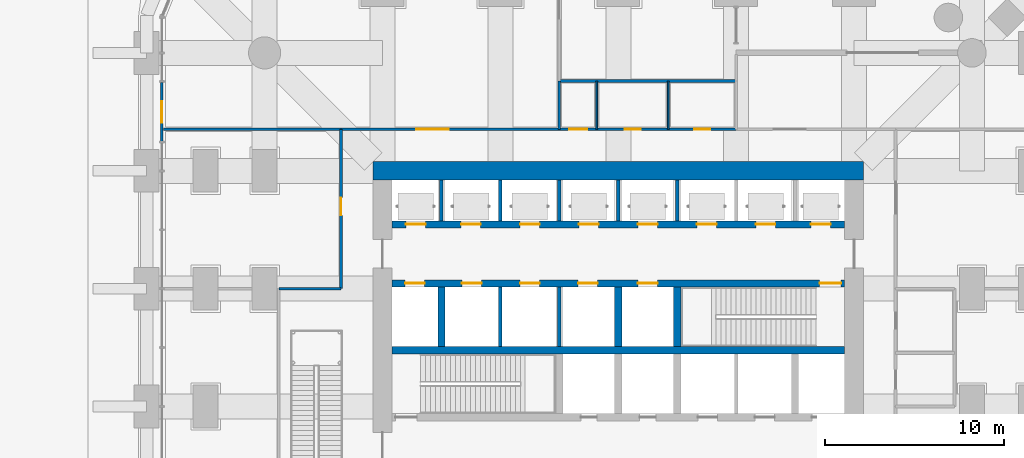
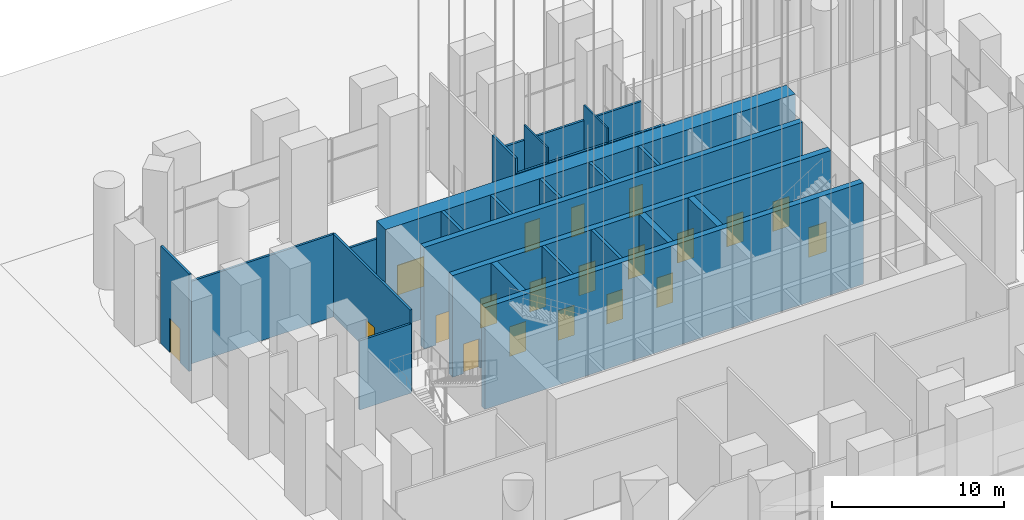
# One storey, part 16 of 32: 24 walls, 20 doors, 20 openings.
"""IFC4 building model written with IfcOpenShell, lengths in metres."""

from ifc_helpers import new_model, si_unit, direction, frame, frame_2d, origin, place, context, subcontext, project, spatial, rectangle, extrude, material, layer, layer_set, type_object, element, fill, save


model = new_model("IFC4")

# Units and contexts
model_context = context("Model", 3, precision=1e-05, world=origin(), true_north=direction((0.0, 1.0)))
body_context = subcontext(model_context, "Body", "Model", "MODEL_VIEW")
ifc_project = project(units=[si_unit("LENGTHUNIT", "METRE"), si_unit("AREAUNIT", "SQUARE_METRE"), si_unit("VOLUMEUNIT", "CUBIC_METRE"), si_unit("PLANEANGLEUNIT", "RADIAN"), si_unit("MASSUNIT", "GRAM", prefix="KILO")], contexts=[model_context])

# Site, building, storey
site_placement = place(None, origin())
site = spatial("IfcSite", under=ifc_project, at=site_placement, CompositionType="ELEMENT")
building_placement = place(site_placement, origin())
building = spatial("IfcBuilding", under=site, at=building_placement, Name="Cobogo Forest Laboratory Tower", CompositionType="ELEMENT")
storey_placement = place(building_placement, origin())
storey = spatial("IfcBuildingStorey", under=building, at=storey_placement, Name="L00", CompositionType="ELEMENT", Elevation=0.0)

# Wall
ifc_material_1 = material(Name="Concrete HA-50 (C50/60)", Category="concrete")
ifc_layer_1 = layer(ifc_material_1, 0.39990234375)
ifc_layer_set_1 = layer_set([ifc_layer_1], Name="CI400 core inner wall 400")
wall_type_1 = type_object("IfcWallType", Name="CI400 core inner wall 400", PredefinedType="SHEAR", material=ifc_layer_set_1)
wall_1_placement = place(storey_placement, frame((13.72509765625, 22.949951171875, 0.0), z_axis=(0.0, 0.0, 1.0), x_axis=(1.0, 0.0, 0.0)))
element("IfcWall", 1, at=wall_1_placement, inside=storey, type_object=wall_type_1, Name="Core wall CI-22.95 L00", PredefinedType="SHEAR", context=body_context, shape_type="SweptSolid", body=[
    extrude(rectangle(XDim=25.349853515625, YDim=0.39990234375, at=frame_2d((12.6748046875, 0.0))), origin(), (0.0, 0.0, 1.0), 7.199951171875),
])

# Wall, openings, doors
wall_2_placement = place(storey_placement, frame((13.72509765625, 26.699951171875, 0.0), z_axis=(0.0, 0.0, 1.0), x_axis=(1.0, 0.0, 0.0)))
wall_2 = element("IfcWall", 2, at=wall_2_placement, inside=storey, type_object=wall_type_1, Name="Core wall CI-26.7 L00", PredefinedType="SHEAR", context=body_context, shape_type="SweptSolid", body=[
    extrude(rectangle(XDim=25.349853515625, YDim=0.39990234375, at=frame_2d((12.6748046875, 0.0))), origin(), (0.0, 0.0, 1.0), 7.199951171875),
])
opening_1_placement = place(wall_2_placement, frame((23.949951171875, 0.0, 0.0)))
opening_1 = element("IfcOpeningElement", 3, at=opening_1_placement, cuts=wall_2, Name="Opening L00-D19", PredefinedType="OPENING", context=body_context, shape_type="SweptSolid", body=[
    extrude(rectangle(XDim=1.199951171875, YDim=2.10009765625, at=frame_2d((0.60009765625, 1.050048828125))), frame((0.0, 0.2099609375, 0.0), z_axis=(0.0, -1.0, 0.0), x_axis=(1.0, 0.0, 0.0)), (0.0, 0.0, 1.0), 0.419921875),
])
opening_2_placement = place(wall_2_placement, frame((0.737548828125, 0.0, 0.0)))
opening_2 = element("IfcOpeningElement", 4, at=opening_2_placement, cuts=wall_2, Name="Opening L00-LD-FL1", PredefinedType="OPENING", context=body_context, shape_type="SweptSolid", body=[
    extrude(rectangle(XDim=1.10009765625, YDim=2.10009765625, at=frame_2d((0.550048828125, 1.050048828125))), frame((0.0, 0.2099609375, 0.0), z_axis=(0.0, -1.0, 0.0), x_axis=(1.0, 0.0, 0.0)), (0.0, 0.0, 1.0), 0.419921875),
])
opening_3_placement = place(wall_2_placement, frame((3.925048828125, 0.0, 0.0)))
opening_3 = element("IfcOpeningElement", 5, at=opening_3_placement, cuts=wall_2, Name="Opening L00-LD-LS3", PredefinedType="OPENING", context=body_context, shape_type="SweptSolid", body=[
    extrude(rectangle(XDim=1.10009765625, YDim=2.10009765625, at=frame_2d((0.550048828125, 1.050048828125))), frame((0.0, 0.2099609375, 0.0), z_axis=(0.0, -1.0, 0.0), x_axis=(1.0, 0.0, 0.0)), (0.0, 0.0, 1.0), 0.419921875),
])
opening_4_placement = place(wall_2_placement, frame((7.175048828125, 0.0, 0.0)))
opening_4 = element("IfcOpeningElement", 6, at=opening_4_placement, cuts=wall_2, Name="Opening L00-LD-LS4", PredefinedType="OPENING", context=body_context, shape_type="SweptSolid", body=[
    extrude(rectangle(XDim=1.10009765625, YDim=2.10009765625, at=frame_2d((0.550048828125, 1.050048828125))), frame((0.0, 0.2099609375, 0.0), z_axis=(0.0, -1.0, 0.0), x_axis=(1.0, 0.0, 0.0)), (0.0, 0.0, 1.0), 0.419921875),
])
opening_5_placement = place(wall_2_placement, frame((10.425048828125, 0.0, 0.0)))
opening_5 = element("IfcOpeningElement", 7, at=opening_5_placement, cuts=wall_2, Name="Opening L00-LD-LS5", PredefinedType="OPENING", context=body_context, shape_type="SweptSolid", body=[
    extrude(rectangle(XDim=1.10009765625, YDim=2.10009765625, at=frame_2d((0.550048828125, 1.050048828125))), frame((0.0, 0.2099609375, 0.0), z_axis=(0.0, -1.0, 0.0), x_axis=(1.0, 0.0, 0.0)), (0.0, 0.0, 1.0), 0.419921875),
])
opening_6_placement = place(wall_2_placement, frame((13.77490234375, 0.0, 0.0)))
opening_6 = element("IfcOpeningElement", 8, at=opening_6_placement, cuts=wall_2, Name="Opening L00-LD-LS6", PredefinedType="OPENING", context=body_context, shape_type="SweptSolid", body=[
    extrude(rectangle(XDim=1.10009765625, YDim=2.10009765625, at=frame_2d((0.550048828125, 1.050048828125))), frame((0.0, 0.2099609375, 0.0), z_axis=(0.0, -1.0, 0.0), x_axis=(1.0, 0.0, 0.0)), (0.0, 0.0, 1.0), 0.419921875),
])
ifc_material_2 = material(Name="Steel fire door", Category="steel")
door_type_1 = type_object("IfcDoorType", Name="DS1 protected stair door 1200 EI2 60", OperationType="SINGLE_SWING_LEFT", PredefinedType="DOOR", material=ifc_material_2)
door_1_placement = place(opening_1_placement, origin())
door_1 = element("IfcDoor", 9, at=door_1_placement, inside=storey, type_object=door_type_1, Name="Door L00-ST2", OperationType="SINGLE_SWING_RIGHT", OverallHeight=2.10009765625, OverallWidth=1.199951171875, PredefinedType="DOOR", context=body_context, shape_type="SweptSolid", body=[
    extrude(rectangle(XDim=1.199951171875, YDim=2.10009765625, at=frame_2d((0.60009765625, 1.050048828125))), frame((0.0, 0.02490234375, 0.0), z_axis=(0.0, -1.0, 0.0), x_axis=(1.0, 0.0, 0.0)), (0.0, 0.0, 1.0), 0.050048828125),
])
fill(opening_1, door_1)
ifc_material_3 = material(Name="Stainless steel lift door", Category="steel")
door_type_2 = type_object("IfcDoorType", Name="LD lift landing door 1100", OperationType="DOUBLE_DOOR_SLIDING", PredefinedType="DOOR", material=ifc_material_3)
door_2_placement = place(opening_2_placement, origin())
door_2 = element("IfcDoor", 10, at=door_2_placement, inside=storey, type_object=door_type_2, Name="Lift landing door FL1 L00", OperationType="DOUBLE_DOOR_SLIDING", OverallHeight=2.10009765625, OverallWidth=1.10009765625, PredefinedType="DOOR", context=body_context, shape_type="SweptSolid", body=[
    extrude(rectangle(XDim=1.10009765625, YDim=2.10009765625, at=frame_2d((0.550048828125, 1.050048828125))), frame((0.0, 0.02490234375, 0.0), z_axis=(0.0, -1.0, 0.0), x_axis=(1.0, 0.0, 0.0)), (0.0, 0.0, 1.0), 0.050048828125),
])
fill(opening_2, door_2)
door_3_placement = place(opening_3_placement, origin())
door_3 = element("IfcDoor", 11, at=door_3_placement, inside=storey, type_object=door_type_2, Name="Lift landing door LS3 L00", OperationType="DOUBLE_DOOR_SLIDING", OverallHeight=2.10009765625, OverallWidth=1.10009765625, PredefinedType="DOOR", context=body_context, shape_type="SweptSolid", body=[
    extrude(rectangle(XDim=1.10009765625, YDim=2.10009765625, at=frame_2d((0.550048828125, 1.050048828125))), frame((0.0, 0.02490234375, 0.0), z_axis=(0.0, -1.0, 0.0), x_axis=(1.0, 0.0, 0.0)), (0.0, 0.0, 1.0), 0.050048828125),
])
fill(opening_3, door_3)
door_4_placement = place(opening_4_placement, origin())
door_4 = element("IfcDoor", 12, at=door_4_placement, inside=storey, type_object=door_type_2, Name="Lift landing door LS4 L00", OperationType="DOUBLE_DOOR_SLIDING", OverallHeight=2.10009765625, OverallWidth=1.10009765625, PredefinedType="DOOR", context=body_context, shape_type="SweptSolid", body=[
    extrude(rectangle(XDim=1.10009765625, YDim=2.10009765625, at=frame_2d((0.550048828125, 1.050048828125))), frame((0.0, 0.02490234375, 0.0), z_axis=(0.0, -1.0, 0.0), x_axis=(1.0, 0.0, 0.0)), (0.0, 0.0, 1.0), 0.050048828125),
])
fill(opening_4, door_4)
door_5_placement = place(opening_5_placement, origin())
door_5 = element("IfcDoor", 13, at=door_5_placement, inside=storey, type_object=door_type_2, Name="Lift landing door LS5 L00", OperationType="DOUBLE_DOOR_SLIDING", OverallHeight=2.10009765625, OverallWidth=1.10009765625, PredefinedType="DOOR", context=body_context, shape_type="SweptSolid", body=[
    extrude(rectangle(XDim=1.10009765625, YDim=2.10009765625, at=frame_2d((0.550048828125, 1.050048828125))), frame((0.0, 0.02490234375, 0.0), z_axis=(0.0, -1.0, 0.0), x_axis=(1.0, 0.0, 0.0)), (0.0, 0.0, 1.0), 0.050048828125),
])
fill(opening_5, door_5)
door_6_placement = place(opening_6_placement, origin())
door_6 = element("IfcDoor", 14, at=door_6_placement, inside=storey, type_object=door_type_2, Name="Lift landing door LS6 L00", OperationType="DOUBLE_DOOR_SLIDING", OverallHeight=2.10009765625, OverallWidth=1.10009765625, PredefinedType="DOOR", context=body_context, shape_type="SweptSolid", body=[
    extrude(rectangle(XDim=1.10009765625, YDim=2.10009765625, at=frame_2d((0.550048828125, 1.050048828125))), frame((0.0, 0.02490234375, 0.0), z_axis=(0.0, -1.0, 0.0), x_axis=(1.0, 0.0, 0.0)), (0.0, 0.0, 1.0), 0.050048828125),
])
fill(opening_6, door_6)

wall_3_placement = place(storey_placement, frame((13.72509765625, 30.0, 0.0), z_axis=(0.0, 0.0, 1.0), x_axis=(1.0, 0.0, 0.0)))
wall_3 = element("IfcWall", 15, at=wall_3_placement, inside=storey, type_object=wall_type_1, Name="Core wall CI-30.0 L00", PredefinedType="SHEAR", context=body_context, shape_type="SweptSolid", body=[
    extrude(rectangle(XDim=25.349853515625, YDim=0.39990234375, at=frame_2d((12.6748046875, 0.0))), origin(), (0.0, 0.0, 1.0), 7.199951171875),
])
opening_7_placement = place(wall_3_placement, frame((0.78759765625, 0.0, 0.0)))
opening_7 = element("IfcOpeningElement", 16, at=opening_7_placement, cuts=wall_3, Name="Opening L00-LD-LC1", PredefinedType="OPENING", context=body_context, shape_type="SweptSolid", body=[
    extrude(rectangle(XDim=1.10009765625, YDim=2.10009765625, at=frame_2d((0.550048828125, 1.050048828125))), frame((0.0, 0.2099609375, 0.0), z_axis=(0.0, -1.0, 0.0), x_axis=(1.0, 0.0, 0.0)), (0.0, 0.0, 1.0), 0.419921875),
])
opening_8_placement = place(wall_3_placement, frame((3.875, 0.0, 0.0)))
opening_8 = element("IfcOpeningElement", 17, at=opening_8_placement, cuts=wall_3, Name="Opening L00-LD-LC2", PredefinedType="OPENING", context=body_context, shape_type="SweptSolid", body=[
    extrude(rectangle(XDim=1.10009765625, YDim=2.10009765625, at=frame_2d((0.550048828125, 1.050048828125))), frame((0.0, 0.2099609375, 0.0), z_axis=(0.0, -1.0, 0.0), x_axis=(1.0, 0.0, 0.0)), (0.0, 0.0, 1.0), 0.419921875),
])
opening_9_placement = place(wall_3_placement, frame((7.175048828125, 0.0, 0.0)))
opening_9 = element("IfcOpeningElement", 18, at=opening_9_placement, cuts=wall_3, Name="Opening L00-LD-LC3", PredefinedType="OPENING", context=body_context, shape_type="SweptSolid", body=[
    extrude(rectangle(XDim=1.10009765625, YDim=2.10009765625, at=frame_2d((0.550048828125, 1.050048828125))), frame((0.0, 0.2099609375, 0.0), z_axis=(0.0, -1.0, 0.0), x_axis=(1.0, 0.0, 0.0)), (0.0, 0.0, 1.0), 0.419921875),
])
opening_10_placement = place(wall_3_placement, frame((10.47509765625, 0.0, 0.0)))
opening_10 = element("IfcOpeningElement", 19, at=opening_10_placement, cuts=wall_3, Name="Opening L00-LD-LC4", PredefinedType="OPENING", context=body_context, shape_type="SweptSolid", body=[
    extrude(rectangle(XDim=1.10009765625, YDim=2.10009765625, at=frame_2d((0.550048828125, 1.050048828125))), frame((0.0, 0.2099609375, 0.0), z_axis=(0.0, -1.0, 0.0), x_axis=(1.0, 0.0, 0.0)), (0.0, 0.0, 1.0), 0.419921875),
])
opening_11_placement = place(wall_3_placement, frame((13.77490234375, 0.0, 0.0)))
opening_11 = element("IfcOpeningElement", 20, at=opening_11_placement, cuts=wall_3, Name="Opening L00-LD-LD1", PredefinedType="OPENING", context=body_context, shape_type="SweptSolid", body=[
    extrude(rectangle(XDim=1.10009765625, YDim=2.10009765625, at=frame_2d((0.550048828125, 1.050048828125))), frame((0.0, 0.2099609375, 0.0), z_axis=(0.0, -1.0, 0.0), x_axis=(1.0, 0.0, 0.0)), (0.0, 0.0, 1.0), 0.419921875),
])
opening_12_placement = place(wall_3_placement, frame((17.074951171875, 0.0, 0.0)))
opening_12 = element("IfcOpeningElement", 21, at=opening_12_placement, cuts=wall_3, Name="Opening L00-LD-LD2", PredefinedType="OPENING", context=body_context, shape_type="SweptSolid", body=[
    extrude(rectangle(XDim=1.10009765625, YDim=2.10009765625, at=frame_2d((0.550048828125, 1.050048828125))), frame((0.0, 0.2099609375, 0.0), z_axis=(0.0, -1.0, 0.0), x_axis=(1.0, 0.0, 0.0)), (0.0, 0.0, 1.0), 0.419921875),
])
opening_13_placement = place(wall_3_placement, frame((20.375, 0.0, 0.0)))
opening_13 = element("IfcOpeningElement", 22, at=opening_13_placement, cuts=wall_3, Name="Opening L00-LD-LD3", PredefinedType="OPENING", context=body_context, shape_type="SweptSolid", body=[
    extrude(rectangle(XDim=1.10009765625, YDim=2.10009765625, at=frame_2d((0.550048828125, 1.050048828125))), frame((0.0, 0.2099609375, 0.0), z_axis=(0.0, -1.0, 0.0), x_axis=(1.0, 0.0, 0.0)), (0.0, 0.0, 1.0), 0.419921875),
])
opening_14_placement = place(wall_3_placement, frame((23.46240234375, 0.0, 0.0)))
opening_14 = element("IfcOpeningElement", 23, at=opening_14_placement, cuts=wall_3, Name="Opening L00-LD-LD4", PredefinedType="OPENING", context=body_context, shape_type="SweptSolid", body=[
    extrude(rectangle(XDim=1.10009765625, YDim=2.10009765625, at=frame_2d((0.550048828125, 1.050048828125))), frame((0.0, 0.2099609375, 0.0), z_axis=(0.0, -1.0, 0.0), x_axis=(1.0, 0.0, 0.0)), (0.0, 0.0, 1.0), 0.419921875),
])
door_7_placement = place(opening_7_placement, origin())
door_7 = element("IfcDoor", 24, at=door_7_placement, inside=storey, type_object=door_type_2, Name="Lift landing door LC1 L00", OperationType="DOUBLE_DOOR_SLIDING", OverallHeight=2.10009765625, OverallWidth=1.10009765625, PredefinedType="DOOR", context=body_context, shape_type="SweptSolid", body=[
    extrude(rectangle(XDim=1.10009765625, YDim=2.10009765625, at=frame_2d((0.550048828125, 1.050048828125))), frame((0.0, 0.02490234375, 0.0), z_axis=(0.0, -1.0, 0.0), x_axis=(1.0, 0.0, 0.0)), (0.0, 0.0, 1.0), 0.050048828125),
])
fill(opening_7, door_7)
door_8_placement = place(opening_8_placement, origin())
door_8 = element("IfcDoor", 25, at=door_8_placement, inside=storey, type_object=door_type_2, Name="Lift landing door LC2 L00", OperationType="DOUBLE_DOOR_SLIDING", OverallHeight=2.10009765625, OverallWidth=1.10009765625, PredefinedType="DOOR", context=body_context, shape_type="SweptSolid", body=[
    extrude(rectangle(XDim=1.10009765625, YDim=2.10009765625, at=frame_2d((0.550048828125, 1.050048828125))), frame((0.0, 0.02490234375, 0.0), z_axis=(0.0, -1.0, 0.0), x_axis=(1.0, 0.0, 0.0)), (0.0, 0.0, 1.0), 0.050048828125),
])
fill(opening_8, door_8)
door_9_placement = place(opening_9_placement, origin())
door_9 = element("IfcDoor", 26, at=door_9_placement, inside=storey, type_object=door_type_2, Name="Lift landing door LC3 L00", OperationType="DOUBLE_DOOR_SLIDING", OverallHeight=2.10009765625, OverallWidth=1.10009765625, PredefinedType="DOOR", context=body_context, shape_type="SweptSolid", body=[
    extrude(rectangle(XDim=1.10009765625, YDim=2.10009765625, at=frame_2d((0.550048828125, 1.050048828125))), frame((0.0, 0.02490234375, 0.0), z_axis=(0.0, -1.0, 0.0), x_axis=(1.0, 0.0, 0.0)), (0.0, 0.0, 1.0), 0.050048828125),
])
fill(opening_9, door_9)
door_10_placement = place(opening_10_placement, origin())
door_10 = element("IfcDoor", 27, at=door_10_placement, inside=storey, type_object=door_type_2, Name="Lift landing door LC4 L00", OperationType="DOUBLE_DOOR_SLIDING", OverallHeight=2.10009765625, OverallWidth=1.10009765625, PredefinedType="DOOR", context=body_context, shape_type="SweptSolid", body=[
    extrude(rectangle(XDim=1.10009765625, YDim=2.10009765625, at=frame_2d((0.550048828125, 1.050048828125))), frame((0.0, 0.02490234375, 0.0), z_axis=(0.0, -1.0, 0.0), x_axis=(1.0, 0.0, 0.0)), (0.0, 0.0, 1.0), 0.050048828125),
])
fill(opening_10, door_10)
door_11_placement = place(opening_11_placement, origin())
door_11 = element("IfcDoor", 28, at=door_11_placement, inside=storey, type_object=door_type_2, Name="Lift landing door LD1 L00", OperationType="DOUBLE_DOOR_SLIDING", OverallHeight=2.10009765625, OverallWidth=1.10009765625, PredefinedType="DOOR", context=body_context, shape_type="SweptSolid", body=[
    extrude(rectangle(XDim=1.10009765625, YDim=2.10009765625, at=frame_2d((0.550048828125, 1.050048828125))), frame((0.0, 0.02490234375, 0.0), z_axis=(0.0, -1.0, 0.0), x_axis=(1.0, 0.0, 0.0)), (0.0, 0.0, 1.0), 0.050048828125),
])
fill(opening_11, door_11)
door_12_placement = place(opening_12_placement, origin())
door_12 = element("IfcDoor", 29, at=door_12_placement, inside=storey, type_object=door_type_2, Name="Lift landing door LD2 L00", OperationType="DOUBLE_DOOR_SLIDING", OverallHeight=2.10009765625, OverallWidth=1.10009765625, PredefinedType="DOOR", context=body_context, shape_type="SweptSolid", body=[
    extrude(rectangle(XDim=1.10009765625, YDim=2.10009765625, at=frame_2d((0.550048828125, 1.050048828125))), frame((0.0, 0.02490234375, 0.0), z_axis=(0.0, -1.0, 0.0), x_axis=(1.0, 0.0, 0.0)), (0.0, 0.0, 1.0), 0.050048828125),
])
fill(opening_12, door_12)
door_13_placement = place(opening_13_placement, origin())
door_13 = element("IfcDoor", 30, at=door_13_placement, inside=storey, type_object=door_type_2, Name="Lift landing door LD3 L00", OperationType="DOUBLE_DOOR_SLIDING", OverallHeight=2.10009765625, OverallWidth=1.10009765625, PredefinedType="DOOR", context=body_context, shape_type="SweptSolid", body=[
    extrude(rectangle(XDim=1.10009765625, YDim=2.10009765625, at=frame_2d((0.550048828125, 1.050048828125))), frame((0.0, 0.02490234375, 0.0), z_axis=(0.0, -1.0, 0.0), x_axis=(1.0, 0.0, 0.0)), (0.0, 0.0, 1.0), 0.050048828125),
])
fill(opening_13, door_13)
door_14_placement = place(opening_14_placement, origin())
door_14 = element("IfcDoor", 31, at=door_14_placement, inside=storey, type_object=door_type_2, Name="Lift landing door LD4 L00", OperationType="DOUBLE_DOOR_SLIDING", OverallHeight=2.10009765625, OverallWidth=1.10009765625, PredefinedType="DOOR", context=body_context, shape_type="SweptSolid", body=[
    extrude(rectangle(XDim=1.10009765625, YDim=2.10009765625, at=frame_2d((0.550048828125, 1.050048828125))), frame((0.0, 0.02490234375, 0.0), z_axis=(0.0, -1.0, 0.0), x_axis=(1.0, 0.0, 0.0)), (0.0, 0.0, 1.0), 0.050048828125),
])
fill(opening_14, door_14)

# Walls
for number, where, z_axis, x_axis, name in (
    (32, (16.5, 23.14990234375, 0.0), (0.0, 0.0, 1.0), (0.0, 1.0, 0.0), "Core wall CX-16.5 L00"),
    (33, (26.39990234375, 23.14990234375, 0.0), (0.0, 0.0, 1.0), (0.0, 1.0, 0.0), "Core wall CX-26.4N L00"),
    (34, (29.699951171875, 23.14990234375, 0.0), (0.0, 0.0, 1.0), (0.0, 1.0, 0.0), "Core wall CX-29.7N L00"),
):
    element("IfcWall", number, at=place(storey_placement, frame(where, z_axis=z_axis, x_axis=x_axis)), inside=storey, type_object=wall_type_1, Name=name, PredefinedType="SHEAR", context=body_context, shape_type="SweptSolid", body=[
        extrude(rectangle(XDim=3.35009765625, YDim=0.39990234375, at=frame_2d((1.675048828125, 0.0))), origin(), (0.0, 0.0, 1.0), 7.199951171875),
    ])
ifc_layer_2 = layer(ifc_material_1, 1.050048828125)
ifc_layer_set_2 = layer_set([ifc_layer_2], Name="CW1050 core outer wall 1050")
wall_type_2 = type_object("IfcWallType", Name="CW1050 core outer wall 1050", PredefinedType="SHEAR", material=ifc_layer_set_2)
wall_4_placement = place(storey_placement, frame((40.125, 33.0, 0.0), z_axis=(0.0, 0.0, 1.0), x_axis=(-1.0, 0.0, 0.0)))
element("IfcWall", 35, at=wall_4_placement, inside=storey, type_object=wall_type_2, Name="Core wall CO-N L00", PredefinedType="SHEAR", context=body_context, shape_type="SweptSolid", body=[
    extrude(rectangle(XDim=27.449951171875, YDim=1.050048828125, at=frame_2d((13.72509765625, 0.0))), origin(), (0.0, 0.0, 1.0), 7.199951171875),
])

# Wall, opening, door
ifc_material_4 = material(Name="Aluminium framed glazed screen", Category="aluminium")
ifc_layer_3 = layer(ifc_material_4, 0.14990234375)
ifc_layer_set_3 = layer_set([ifc_layer_3], Name="GS1 glazed door screen 150")
wall_type_3 = type_object("IfcWallType", Name="GS1 glazed door screen 150", PredefinedType="SOLIDWALL", material=ifc_layer_set_3)
wall_5_placement = place(storey_placement, frame((0.85009765625, 34.64990234375, 0.0), z_axis=(0.0, 0.0, 1.0), x_axis=(0.0, 1.0, 0.0)))
wall_5 = element("IfcWall", 36, at=wall_5_placement, inside=storey, type_object=wall_type_3, Name="Entrance glazed screen EXW", PredefinedType="SOLIDWALL", context=body_context, shape_type="SweptSolid", body=[
    extrude(rectangle(XDim=3.300048828125, YDim=0.14990234375, at=frame_2d((1.64990234375, 0.0))), origin(), (0.0, 0.0, 1.0), 6.89990234375),
])
opening_15_placement = place(wall_5_placement, frame((1.050048828125, 0.0, 0.0)))
opening_15 = element("IfcOpeningElement", 37, at=opening_15_placement, cuts=wall_5, Name="Opening L00-D30", PredefinedType="OPENING", context=body_context, shape_type="SweptSolid", body=[
    extrude(rectangle(XDim=1.199951171875, YDim=2.39990234375, at=frame_2d((0.60009765625, 1.199951171875))), frame((0.0, 0.0849609375, 0.0), z_axis=(0.0, -1.0, 0.0), x_axis=(1.0, 0.0, 0.0)), (0.0, 0.0, 1.0), 0.169921875),
])
ifc_material_5 = material(Name="Aluminium glazed door", Category="aluminium")
door_type_3 = type_object("IfcDoorType", Name="ED2 exit door 1200 glazed", OperationType="SINGLE_SWING_LEFT", PredefinedType="DOOR", material=ifc_material_5)
door_15_placement = place(opening_15_placement, origin())
door_15 = element("IfcDoor", 38, at=door_15_placement, inside=storey, type_object=door_type_3, Name="Door L00-EXW-1", OperationType="SINGLE_SWING_RIGHT", OverallHeight=2.39990234375, OverallWidth=1.199951171875, PredefinedType="DOOR", context=body_context, shape_type="SweptSolid", body=[
    extrude(rectangle(XDim=1.199951171875, YDim=2.39990234375, at=frame_2d((0.60009765625, 1.199951171875))), frame((0.0, 0.02490234375, 0.0), z_axis=(0.0, -1.0, 0.0), x_axis=(1.0, 0.0, 0.0)), (0.0, 0.0, 1.0), 0.050048828125),
])
fill(opening_15, door_15)

# Wall, openings, doors
ifc_material_6 = material(Name="Gypsum board on steel studs", Category="steel")
ifc_layer_4 = layer(ifc_material_6, 0.14990234375)
ifc_layer_set_4 = layer_set([ifc_layer_4], Name="PT1 laboratory partition 150")
wall_type_4 = type_object("IfcWallType", Name="PT1 laboratory partition 150", PredefinedType="PARTITIONING", material=ifc_layer_set_4)
wall_6_placement = place(storey_placement, frame((33.0, 35.324951171875, 0.0), z_axis=(0.0, 0.0, 1.0), x_axis=(-1.0, 0.0, 0.0)))
wall_6 = element("IfcWall", 39, at=wall_6_placement, inside=storey, type_object=wall_type_4, Name="Partition POD-WCA-S-1 L00", PredefinedType="PARTITIONING", context=body_context, shape_type="SweptSolid", body=[
    extrude(rectangle(XDim=9.89990234375, YDim=0.14990234375, at=frame_2d((4.949951171875, 0.0))), origin(), (0.0, 0.0, 1.0), 5.85009765625),
])
opening_16_placement = place(wall_6_placement, frame((8.35009765625, 0.0, 0.0)))
opening_16 = element("IfcOpeningElement", 40, at=opening_16_placement, cuts=wall_6, Name="Opening L00-D26", PredefinedType="OPENING", context=body_context, shape_type="SweptSolid", body=[
    extrude(rectangle(XDim=1.0, YDim=2.10009765625, at=frame_2d((0.5, 1.050048828125))), frame((0.0, 0.0849609375, 0.0), z_axis=(0.0, -1.0, 0.0), x_axis=(1.0, 0.0, 0.0)), (0.0, 0.0, 1.0), 0.169921875),
])
opening_17_placement = place(wall_6_placement, frame((5.35009765625, 0.0, 0.0)))
opening_17 = element("IfcOpeningElement", 41, at=opening_17_placement, cuts=wall_6, Name="Opening L00-D27", PredefinedType="OPENING", context=body_context, shape_type="SweptSolid", body=[
    extrude(rectangle(XDim=0.89990234375, YDim=2.10009765625, at=frame_2d((0.449951171875, 1.050048828125))), frame((0.0, 0.0849609375, 0.0), z_axis=(0.0, -1.0, 0.0), x_axis=(1.0, 0.0, 0.0)), (0.0, 0.0, 1.0), 0.169921875),
])
opening_18_placement = place(wall_6_placement, frame((1.449951171875, 0.0, 0.0)))
opening_18 = element("IfcOpeningElement", 42, at=opening_18_placement, cuts=wall_6, Name="Opening L00-D28", PredefinedType="OPENING", context=body_context, shape_type="SweptSolid", body=[
    extrude(rectangle(XDim=0.89990234375, YDim=2.10009765625, at=frame_2d((0.449951171875, 1.050048828125))), frame((0.0, 0.0849609375, 0.0), z_axis=(0.0, -1.0, 0.0), x_axis=(1.0, 0.0, 0.0)), (0.0, 0.0, 1.0), 0.169921875),
])
ifc_material_7 = material(Name="Timber fire door", Category="wood")
door_type_4 = type_object("IfcDoorType", Name="FD3 toilet fire door 900 EI2 30", OperationType="SINGLE_SWING_LEFT", PredefinedType="DOOR", material=ifc_material_7)
door_16_placement = place(opening_17_placement, origin())
door_16 = element("IfcDoor", 43, at=door_16_placement, inside=storey, type_object=door_type_4, Name="Door L00-WCF", OperationType="SINGLE_SWING_RIGHT", OverallHeight=2.10009765625, OverallWidth=0.89990234375, PredefinedType="DOOR", context=body_context, shape_type="SweptSolid", body=[
    extrude(rectangle(XDim=0.89990234375, YDim=2.10009765625, at=frame_2d((0.449951171875, 1.050048828125))), frame((0.0, 0.02490234375, 0.0), z_axis=(0.0, -1.0, 0.0), x_axis=(1.0, 0.0, 0.0)), (0.0, 0.0, 1.0), 0.050048828125),
])
fill(opening_17, door_16)
door_17_placement = place(opening_18_placement, origin())
door_17 = element("IfcDoor", 44, at=door_17_placement, inside=storey, type_object=door_type_4, Name="Door L00-WCM", OperationType="SINGLE_SWING_LEFT", OverallHeight=2.10009765625, OverallWidth=0.89990234375, PredefinedType="DOOR", context=body_context, shape_type="SweptSolid", body=[
    extrude(rectangle(XDim=0.89990234375, YDim=2.10009765625, at=frame_2d((0.449951171875, 1.050048828125))), frame((0.0, 0.02490234375, 0.0), z_axis=(0.0, -1.0, 0.0), x_axis=(1.0, 0.0, 0.0)), (0.0, 0.0, 1.0), 0.050048828125),
])
fill(opening_18, door_17)
door_type_5 = type_object("IfcDoorType", Name="FDA1 accessible toilet fire door 1000 EI2 30", OperationType="SINGLE_SWING_RIGHT", PredefinedType="DOOR", material=ifc_material_7)
door_18_placement = place(opening_16_placement, origin())
door_18 = element("IfcDoor", 45, at=door_18_placement, inside=storey, type_object=door_type_5, Name="Door L00-WCA", OperationType="SINGLE_SWING_RIGHT", OverallHeight=2.10009765625, OverallWidth=1.0, PredefinedType="DOOR", context=body_context, shape_type="SweptSolid", body=[
    extrude(rectangle(XDim=1.0, YDim=2.10009765625, at=frame_2d((0.5, 1.050048828125))), frame((0.0, 0.02490234375, 0.0), z_axis=(0.0, -1.0, 0.0), x_axis=(1.0, 0.0, 0.0)), (0.0, 0.0, 1.0), 0.050048828125),
])
fill(opening_16, door_18)

# Wall
wall_7_placement = place(storey_placement, frame((0.929931640625, 35.324951171875, 0.0), z_axis=(0.0, 0.0, 1.0), x_axis=(1.0, 0.0, 0.0)))
element("IfcWall", 46, at=wall_7_placement, inside=storey, type_object=wall_type_4, Name="Partition L00-P3-1 L00", PredefinedType="PARTITIONING", context=body_context, shape_type="SweptSolid", body=[
    extrude(rectangle(XDim=9.945068359375, YDim=0.14990234375, at=frame_2d((4.97265625, 0.0))), origin(), (0.0, 0.0, 1.0), 5.85009765625),
])

# Wall, opening, door
wall_8_placement = place(storey_placement, frame((10.875, 35.324951171875, 0.0), z_axis=(0.0, 0.0, 1.0), x_axis=(0.0, -1.0, 0.0)))
wall_8 = element("IfcWall", 47, at=wall_8_placement, inside=storey, type_object=wall_type_4, Name="Partition L00-P4-1 L00", PredefinedType="PARTITIONING", context=body_context, shape_type="SweptSolid", body=[
    extrude(rectangle(XDim=8.925048828125, YDim=0.14990234375, at=frame_2d((4.46240234375, 0.0))), origin(), (0.0, 0.0, 1.0), 5.85009765625),
])
opening_19_placement = place(wall_8_placement, frame((3.824951171875, 0.0, 0.0)))
opening_19 = element("IfcOpeningElement", 48, at=opening_19_placement, cuts=wall_8, Name="Opening L00-D23", PredefinedType="OPENING", context=body_context, shape_type="SweptSolid", body=[
    extrude(rectangle(XDim=1.0, YDim=2.10009765625, at=frame_2d((0.5, 1.050048828125))), frame((0.0, 0.0849609375, 0.0), z_axis=(0.0, -1.0, 0.0), x_axis=(1.0, 0.0, 0.0)), (0.0, 0.0, 1.0), 0.169921875),
])
door_type_6 = type_object("IfcDoorType", Name="FD2 fire door 1000 EI2 30", OperationType="SINGLE_SWING_LEFT", PredefinedType="DOOR", material=ifc_material_7)
door_19_placement = place(opening_19_placement, origin())
door_19 = element("IfcDoor", 49, at=door_19_placement, inside=storey, type_object=door_type_6, Name="Door L00-MGT", OperationType="SINGLE_SWING_LEFT", OverallHeight=2.10009765625, OverallWidth=1.0, PredefinedType="DOOR", context=body_context, shape_type="SweptSolid", body=[
    extrude(rectangle(XDim=1.0, YDim=2.10009765625, at=frame_2d((0.5, 1.050048828125))), frame((0.0, 0.02490234375, 0.0), z_axis=(0.0, -1.0, 0.0), x_axis=(1.0, 0.0, 0.0)), (0.0, 0.0, 1.0), 0.050048828125),
])
fill(opening_19, door_19)

# Walls
wall_9_placement = place(storey_placement, frame((10.875, 26.39990234375, 0.0), z_axis=(0.0, 0.0, 1.0), x_axis=(-1.0, 0.0, 0.0)))
element("IfcWall", 50, at=wall_9_placement, inside=storey, type_object=wall_type_4, Name="Partition L00-P5-1 L00", PredefinedType="PARTITIONING", context=body_context, shape_type="SweptSolid", body=[
    extrude(rectangle(XDim=3.47509765625, YDim=0.14990234375, at=frame_2d((1.737548828125, 0.0))), origin(), (0.0, 0.0, 1.0), 4.89990234375),
])
wall_10_placement = place(storey_placement, frame((23.10009765625, 38.02490234375, 0.0), z_axis=(0.0, 0.0, 1.0), x_axis=(0.0, -1.0, 0.0)))
element("IfcWall", 51, at=wall_10_placement, inside=storey, type_object=wall_type_4, Name="Partition L00-P10-1 L00", PredefinedType="PARTITIONING", context=body_context, shape_type="SweptSolid", body=[
    extrude(rectangle(XDim=2.699951171875, YDim=0.14990234375, at=frame_2d((1.35009765625, 0.0))), origin(), (0.0, 0.0, 1.0), 6.89990234375),
])

# Wall, opening, door
wall_11_placement = place(storey_placement, frame((23.10009765625, 35.324951171875, 0.0), z_axis=(0.0, 0.0, 1.0), x_axis=(-1.0, 0.0, 0.0)))
wall_11 = element("IfcWall", 52, at=wall_11_placement, inside=storey, type_object=wall_type_4, Name="Partition L00-P11-1 L00", PredefinedType="PARTITIONING", context=body_context, shape_type="SweptSolid", body=[
    extrude(rectangle(XDim=12.22509765625, YDim=0.14990234375, at=frame_2d((6.112548828125, 0.0))), origin(), (0.0, 0.0, 1.0), 4.5),
])
opening_20_placement = place(wall_11_placement, frame((6.199951171875, 0.0, 0.0)))
opening_20 = element("IfcOpeningElement", 53, at=opening_20_placement, cuts=wall_11, Name="Opening L00-D25", PredefinedType="OPENING", context=body_context, shape_type="SweptSolid", body=[
    extrude(rectangle(XDim=1.800048828125, YDim=2.10009765625, at=frame_2d((0.89990234375, 1.050048828125))), frame((0.0, 0.0849609375, 0.0), z_axis=(0.0, -1.0, 0.0), x_axis=(1.0, 0.0, 0.0)), (0.0, 0.0, 1.0), 0.169921875),
])
door_type_7 = type_object("IfcDoorType", Name="FD5 assembly room fire door pair 1800 EI2 30", OperationType="DOUBLE_DOOR_DOUBLE_SWING", PredefinedType="DOOR", material=ifc_material_7)
door_20_placement = place(opening_20_placement, origin())
door_20 = element("IfcDoor", 54, at=door_20_placement, inside=storey, type_object=door_type_7, Name="Door L00-CAFE", OperationType="DOUBLE_DOOR_DOUBLE_SWING", OverallHeight=2.10009765625, OverallWidth=1.800048828125, PredefinedType="DOOR", context=body_context, shape_type="SweptSolid", body=[
    extrude(rectangle(XDim=1.800048828125, YDim=2.10009765625, at=frame_2d((0.89990234375, 1.050048828125))), frame((0.0, 0.02490234375, 0.0), z_axis=(0.0, -1.0, 0.0), x_axis=(1.0, 0.0, 0.0)), (0.0, 0.0, 1.0), 0.050048828125),
])
fill(opening_20, door_20)

# Walls
wall_12_placement = place(storey_placement, frame((33.0, 38.02490234375, 0.0), z_axis=(0.0, 0.0, 1.0), x_axis=(-1.0, 0.0, 0.0)))
element("IfcWall", 55, at=wall_12_placement, inside=storey, type_object=wall_type_4, Name="Partition L00-P15-1 L00", PredefinedType="PARTITIONING", context=body_context, shape_type="SweptSolid", body=[
    extrude(rectangle(XDim=9.89990234375, YDim=0.14990234375, at=frame_2d((4.949951171875, 0.0))), origin(), (0.0, 0.0, 1.0), 5.85009765625),
])
ifc_layer_5 = layer(ifc_material_6, 0.10009765625)
ifc_layer_set_5 = layer_set([ifc_layer_5], Name="PT3 toilet partition 100")
wall_type_5 = type_object("IfcWallType", Name="PT3 toilet partition 100", PredefinedType="PARTITIONING", material=ifc_layer_set_5)
for number, where, z_axis, x_axis, name in (
    (56, (25.199951171875, 35.324951171875, 0.0), (0.0, 0.0, 1.0), (0.0, 1.0, 0.0), "Partition POD-WCA-1-1 L00"),
    (57, (29.199951171875, 35.324951171875, 0.0), (0.0, 0.0, 1.0), (0.0, 1.0, 0.0), "Partition POD-WCA-2-1 L00"),
):
    element("IfcWall", number, at=place(storey_placement, frame(where, z_axis=z_axis, x_axis=x_axis)), inside=storey, type_object=wall_type_5, Name=name, PredefinedType="PARTITIONING", context=body_context, shape_type="SweptSolid", body=[
        extrude(rectangle(XDim=2.699951171875, YDim=0.10009765625, at=frame_2d((1.35009765625, 0.0))), origin(), (0.0, 0.0, 1.0), 6.89990234375),
    ])
ifc_material_8 = material(Name="Concrete block", Category="concrete")
ifc_layer_6 = layer(ifc_material_8, 0.199951171875)
ifc_layer_set_6 = layer_set([ifc_layer_6], Name="SW200 lift shaft separator 200")
wall_type_6 = type_object("IfcWallType", Name="SW200 lift shaft separator 200", PredefinedType="PARTITIONING", material=ifc_layer_set_6)
for number, where, z_axis, x_axis, name in (
    (58, (16.5, 30.199951171875, 0.0), (0.0, 0.0, 1.0), (0.0, 1.0, 0.0), "Core wall SEP-N1 L00"),
    (59, (19.800048828125, 30.199951171875, 0.0), (0.0, 0.0, 1.0), (0.0, 1.0, 0.0), "Core wall SEP-N2 L00"),
    (60, (23.10009765625, 30.199951171875, 0.0), (0.0, 0.0, 1.0), (0.0, 1.0, 0.0), "Core wall SEP-N3 L00"),
    (61, (26.39990234375, 30.199951171875, 0.0), (0.0, 0.0, 1.0), (0.0, 1.0, 0.0), "Core wall SEP-N4 L00"),
    (62, (29.699951171875, 30.199951171875, 0.0), (0.0, 0.0, 1.0), (0.0, 1.0, 0.0), "Core wall SEP-N5 L00"),
):
    element("IfcWall", number, at=place(storey_placement, frame(where, z_axis=z_axis, x_axis=x_axis)), inside=storey, type_object=wall_type_6, Name=name, PredefinedType="PARTITIONING", context=body_context, shape_type="SweptSolid", body=[
        extrude(rectangle(XDim=2.275146484375, YDim=0.199951171875, at=frame_2d((1.1376953125, 0.0))), origin(), (0.0, 0.0, 1.0), 7.199951171875),
    ])
for number, where, z_axis, x_axis, name in (
    (63, (19.800048828125, 23.14990234375, 0.0), (0.0, 0.0, 1.0), (0.0, 1.0, 0.0), "Core wall SEP-M19.8 L00"),
    (64, (23.10009765625, 23.14990234375, 0.0), (0.0, 0.0, 1.0), (0.0, 1.0, 0.0), "Core wall SEP-M23.1 L00"),
):
    element("IfcWall", number, at=place(storey_placement, frame(where, z_axis=z_axis, x_axis=x_axis)), inside=storey, type_object=wall_type_6, Name=name, PredefinedType="PARTITIONING", context=body_context, shape_type="SweptSolid", body=[
        extrude(rectangle(XDim=3.35009765625, YDim=0.199951171875, at=frame_2d((1.675048828125, 0.0))), origin(), (0.0, 0.0, 1.0), 7.199951171875),
    ])

save(model, "model.ifc")
